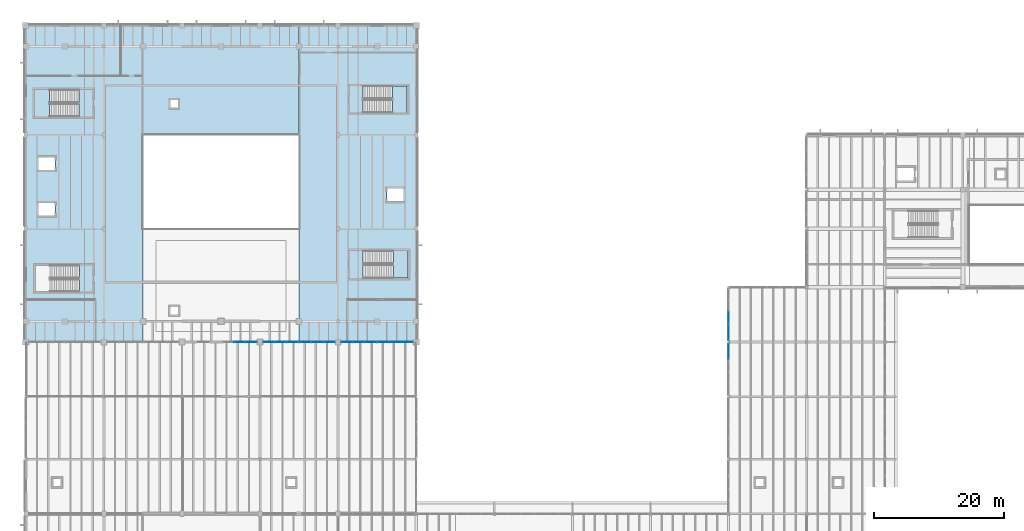
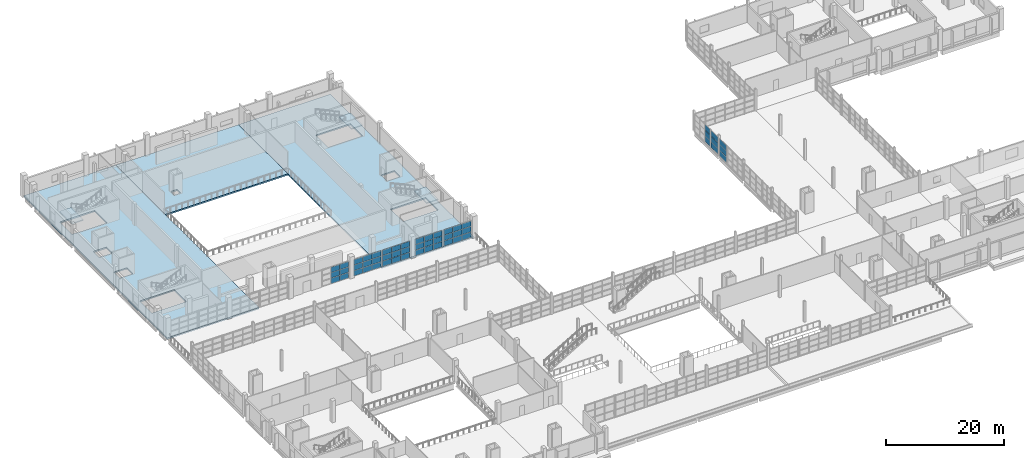
# One storey, part 82 of 114: 51 plates, 6 slabs, 11 elements without a shape of their own.
"""IFC4 building model written with IfcOpenShell, lengths in metres."""

from ifc_helpers import new_model, si_unit, direction, frame, origin, origin_2d, place, context, subcontext, project, spatial, polyline, rectangle, outline, extrude, material, layer, layer_set, type_object, element, aggregate, save


model = new_model("IFC4")

# Units and contexts
model_context = context("Model", 3, precision=1e-05, world=origin(), true_north=direction((0.0, 1.0)))
body_context = subcontext(model_context, "Body", "Model", "MODEL_VIEW")
ifc_project = project(units=[si_unit("LENGTHUNIT", "METRE"), si_unit("AREAUNIT", "SQUARE_METRE"), si_unit("VOLUMEUNIT", "CUBIC_METRE"), si_unit("PLANEANGLEUNIT", "RADIAN"), si_unit("MASSUNIT", "GRAM", prefix="KILO")], contexts=[model_context])

# Site, building, storey
site_placement = place(None, origin())
site = spatial("IfcSite", under=ifc_project, at=site_placement, CompositionType="ELEMENT")
building_placement = place(site_placement, origin())
building = spatial("IfcBuilding", under=site, at=building_placement, Name="Kelmvaro Bay Concert Hall", CompositionType="ELEMENT")
storey_placement = place(building_placement, frame((0.0, 0.0, 4.800048828125)))
storey = spatial("IfcBuildingStorey", under=building, at=storey_placement, Name="L01", CompositionType="ELEMENT", Elevation=4.800048828125)

# Slabs
ifc_material_1 = material(Name="Concrete C40/50", Category="concrete")
ifc_layer_1 = layer(ifc_material_1, 0.300048828125)
ifc_layer_set_1 = layer_set([ifc_layer_1], Name="Concrete C40/50")
slab_type_1 = type_object("IfcSlabType", Name="Auditorium Tier Structural Slab 300", PredefinedType="FLOOR", material=ifc_layer_set_1)
slab_1_placement = place(storey_placement, frame((0.0, 0.0, -0.300048828125)))
element("IfcSlab", 1, at=slab_1_placement, inside=storey, type_object=slab_type_1, Name="L01 Structural Slab V1-W", PredefinedType="FLOOR", context=body_context, shape_type="SweptSolid", body=[
    extrude(outline(polyline([(0.0, 65.39990234375), (18.0, 65.39990234375), (18.0, 114.0), (0.0, 114.0), (0.0, 65.39990234375)]), holes=[polyline([(1.45068359375, 73.090576171875), (8.219482421875, 73.090576171875), (8.219482421875, 77.199462890625), (1.45068359375, 77.199462890625), (1.45068359375, 73.090576171875)]), polyline([(1.3505859375, 100.010498046875), (8.179443359375, 100.010498046875), (8.179443359375, 104.199462890625), (1.3505859375, 104.199462890625), (1.3505859375, 100.010498046875)]), polyline([(1.925048828125, 84.800048828125), (4.47509765625, 84.800048828125), (4.47509765625, 86.800048828125), (1.925048828125, 86.800048828125), (1.925048828125, 84.800048828125)]), polyline([(1.925048828125, 91.800048828125), (4.47509765625, 91.800048828125), (4.47509765625, 93.800048828125), (1.925048828125, 93.800048828125), (1.925048828125, 91.800048828125)])]), origin(), (0.0, 0.0, 1.0), 0.300048828125),
])
slab_2_placement = place(storey_placement, frame((0.0, 0.0, -0.300048828125)))
element("IfcSlab", 2, at=slab_2_placement, inside=storey, type_object=slab_type_1, Name="L01 Structural Slab V1-N", PredefinedType="FLOOR", context=body_context, shape_type="SweptSolid", body=[
    extrude(outline(polyline([(18.0, 97.199951171875), (42.0, 97.199951171875), (42.0, 114.0), (18.0, 114.0), (18.0, 97.199951171875)]), holes=[polyline([(22.199951171875, 101.39990234375), (23.39990234375, 101.39990234375), (23.39990234375, 102.60009765625), (22.199951171875, 102.60009765625), (22.199951171875, 101.39990234375)])]), origin(), (0.0, 0.0, 1.0), 0.300048828125),
])
slab_3_placement = place(storey_placement, frame((0.0, 0.0, -0.300048828125)))
element("IfcSlab", 3, at=slab_3_placement, inside=storey, type_object=slab_type_1, Name="L01 Structural Slab V1-E", PredefinedType="FLOOR", context=body_context, shape_type="SweptSolid", body=[
    extrude(outline(polyline([(42.0, 65.39990234375), (60.0, 65.39990234375), (60.0, 114.0), (42.0, 114.0), (42.0, 65.39990234375)]), holes=[polyline([(51.800537109375, 100.6005859375), (58.599365234375, 100.6005859375), (58.599365234375, 104.74951171875), (51.800537109375, 104.74951171875), (51.800537109375, 100.6005859375)]), polyline([(51.8505859375, 75.20068359375), (58.74951171875, 75.20068359375), (58.74951171875, 79.449462890625), (51.8505859375, 79.449462890625), (51.8505859375, 75.20068359375)]), polyline([(55.52490234375, 87.0), (58.074951171875, 87.0), (58.074951171875, 89.0), (55.52490234375, 89.0), (55.52490234375, 87.0)])]), origin(), (0.0, 0.0, 1.0), 0.300048828125),
])

# Stair, slab
ifc_material_2 = material(Name="Concrete C40/50", Category="concrete")
stair_type_1 = type_object("IfcStairType", Name="Core Dogleg Exit Stair 2000", PredefinedType="USERDEFINED", material=ifc_material_2)
stair_1_placement = place(storey_placement, origin())
stair_1 = element("IfcStair", 4, at=stair_1_placement, inside=storey, type_object=stair_type_1, Name="L01 Exit Stair ST-02", ObjectType="TWO_RETURN_STAIR", PredefinedType="USERDEFINED")
ifc_material_3 = material(Name="Concrete C40/50", Category="concrete")
ifc_layer_2 = layer(ifc_material_3, 0.199951171875)
ifc_layer_set_2 = layer_set([ifc_layer_2], Name="Concrete C40/50")
slab_type_2 = type_object("IfcSlabType", Name="Core Stair Half-Landing Slab 200", PredefinedType="LANDING", material=ifc_layer_set_2)
slab_4_placement = place(storey_placement, frame((0.0, 0.0, 2.050048828125)))
slab_4 = element("IfcSlab", 5, at=slab_4_placement, type_object=slab_type_2, Name="ST-02 landing 1", PredefinedType="LANDING", context=body_context, shape_type="SweptSolid", body=[
    extrude(outline(polyline([(56.35009765625, 100.60009765625), (58.60009765625, 100.60009765625), (58.60009765625, 104.75), (56.35009765625, 104.75), (56.35009765625, 100.60009765625)])), origin(), (0.0, 0.0, 1.0), 0.199951171875),
])
aggregate(stair_1, [slab_4])

ifc_material_4 = material(Name="Concrete C40/50", Category="concrete")
stair_type_2 = type_object("IfcStairType", Name="Core Dogleg Exit Stair 2020", PredefinedType="USERDEFINED", material=ifc_material_4)
stair_2_placement = place(storey_placement, origin())
stair_2 = element("IfcStair", 6, at=stair_2_placement, inside=storey, type_object=stair_type_2, Name="L01 Exit Stair ST-03", ObjectType="TWO_RETURN_STAIR", PredefinedType="USERDEFINED")
slab_5_placement = place(storey_placement, frame((0.0, 0.0, 2.050048828125)))
slab_5 = element("IfcSlab", 7, at=slab_5_placement, type_object=slab_type_2, Name="ST-03 landing 1", PredefinedType="LANDING", context=body_context, shape_type="SweptSolid", body=[
    extrude(outline(polyline([(3.60400390625, 104.199951171875), (1.35009765625, 104.199951171875), (1.35009765625, 100.010009765625), (3.60400390625, 100.010009765625), (3.60400390625, 104.199951171875)])), origin(), (0.0, 0.0, 1.0), 0.199951171875),
])
aggregate(stair_2, [slab_5])

ifc_material_5 = material(Name="Concrete C40/50", Category="concrete")
stair_type_3 = type_object("IfcStairType", Name="Core Dogleg Exit Stair 2050", PredefinedType="USERDEFINED", material=ifc_material_5)
stair_3_placement = place(storey_placement, origin())
stair_3 = element("IfcStair", 8, at=stair_3_placement, inside=storey, type_object=stair_type_3, Name="L01 Exit Stair ST-04", ObjectType="TWO_RETURN_STAIR", PredefinedType="USERDEFINED")
slab_6_placement = place(storey_placement, frame((0.0, 0.0, 2.050048828125)))
slab_6 = element("IfcSlab", 9, at=slab_6_placement, type_object=slab_type_2, Name="ST-04 landing 1", PredefinedType="LANDING", context=body_context, shape_type="SweptSolid", body=[
    extrude(outline(polyline([(56.465087890625, 75.199951171875), (58.75, 75.199951171875), (58.75, 79.449951171875), (56.465087890625, 79.449951171875), (56.465087890625, 75.199951171875)])), origin(), (0.0, 0.0, 1.0), 0.199951171875),
])
aggregate(stair_3, [slab_6])

# Curtain wall, plates
ifc_material_6 = material(Name="Anodised Aluminium and Low-E Insulated Glazing", Category="aluminium")
curtain_wall_type_1 = type_object("IfcCurtainWallType", Name="Mezzanine Concourse Curtain Wall 4100", PredefinedType="USERDEFINED", material=ifc_material_6)
curtain_wall_1_placement = place(storey_placement, origin())
curtain_wall_1 = element("IfcCurtainWall", 10, at=curtain_wall_1_placement, inside=storey, type_object=curtain_wall_type_1, Name="Unitised Curtain Wall CW-L01-119", ObjectType="UNITISED GLAZING", PredefinedType="USERDEFINED")
ifc_material_7 = material(Name="Laminated Low-E Insulated Glass", Category="glass")
ifc_layer_3 = layer(ifc_material_7, 1.85009765625)
ifc_layer_set_3 = layer_set([ifc_layer_3], Name="Laminated Low-E Insulated Glass")
plate_type_1 = type_object("IfcPlateType", Name="Courtyard Clear Low-E Glazing Panel 22", PredefinedType="CURTAIN_PANEL", material=ifc_layer_set_3)
plate_1_placement = place(storey_placement, frame((108.0, 63.947265625, 0.03271484375), z_axis=(0.0, 0.0, 1.0), x_axis=(0.0, 1.0, 0.0)))
plate_1 = element("IfcPlate", 11, at=plate_1_placement, type_object=plate_type_1, Name="CW-L01-119 Insulated Glazing Panel 01-1", PredefinedType="CURTAIN_PANEL", context=body_context, shape_type="SweptSolid", body=[
    extrude(rectangle(XDim=2.349609375, YDim=0.02197265625, at=origin_2d()), origin(), (0.0, 0.0, 1.0), 1.144287109375),
])
plate_2_placement = place(storey_placement, frame((108.0, 63.947265625, 1.24169921875), z_axis=(0.0, 0.0, 1.0), x_axis=(0.0, 1.0, 0.0)))
plate_2 = element("IfcPlate", 12, at=plate_2_placement, type_object=plate_type_1, Name="CW-L01-119 Insulated Glazing Panel 01-2", PredefinedType="CURTAIN_PANEL", context=body_context, shape_type="SweptSolid", body=[
    extrude(rectangle(XDim=2.349609375, YDim=0.02197265625, at=origin_2d()), origin(), (0.0, 0.0, 1.0), 1.144287109375),
])
plate_3_placement = place(storey_placement, frame((108.0, 63.947265625, 2.451171875), z_axis=(0.0, 0.0, 1.0), x_axis=(0.0, 1.0, 0.0)))
plate_3 = element("IfcPlate", 13, at=plate_3_placement, type_object=plate_type_1, Name="CW-L01-119 Insulated Glazing Panel 01-3", PredefinedType="CURTAIN_PANEL", context=body_context, shape_type="SweptSolid", body=[
    extrude(rectangle(XDim=2.349609375, YDim=0.02197265625, at=origin_2d()), origin(), (0.0, 0.0, 1.0), 1.144287109375),
])
aggregate(curtain_wall_1, [plate_1, plate_2, plate_3])

curtain_wall_2_placement = place(storey_placement, origin())
curtain_wall_2 = element("IfcCurtainWall", 14, at=curtain_wall_2_placement, inside=storey, type_object=curtain_wall_type_1, Name="Unitised Curtain Wall CW-L01-120", ObjectType="UNITISED GLAZING", PredefinedType="USERDEFINED")
plate_4_placement = place(storey_placement, frame((108.0, 66.852783203125, 0.03271484375), z_axis=(0.0, 0.0, 1.0), x_axis=(0.0, 1.0, 0.0)))
plate_4 = element("IfcPlate", 15, at=plate_4_placement, type_object=plate_type_1, Name="CW-L01-120 Insulated Glazing Panel 01-1", PredefinedType="CURTAIN_PANEL", context=body_context, shape_type="SweptSolid", body=[
    extrude(rectangle(XDim=2.349609375, YDim=0.02197265625, at=origin_2d()), origin(), (0.0, 0.0, 1.0), 1.144287109375),
])
plate_5_placement = place(storey_placement, frame((108.0, 66.852783203125, 1.24169921875), z_axis=(0.0, 0.0, 1.0), x_axis=(0.0, 1.0, 0.0)))
plate_5 = element("IfcPlate", 16, at=plate_5_placement, type_object=plate_type_1, Name="CW-L01-120 Insulated Glazing Panel 01-2", PredefinedType="CURTAIN_PANEL", context=body_context, shape_type="SweptSolid", body=[
    extrude(rectangle(XDim=2.349609375, YDim=0.02197265625, at=origin_2d()), origin(), (0.0, 0.0, 1.0), 1.144287109375),
])
plate_6_placement = place(storey_placement, frame((108.0, 66.852783203125, 2.451171875), z_axis=(0.0, 0.0, 1.0), x_axis=(0.0, 1.0, 0.0)))
plate_6 = element("IfcPlate", 17, at=plate_6_placement, type_object=plate_type_1, Name="CW-L01-120 Insulated Glazing Panel 01-3", PredefinedType="CURTAIN_PANEL", context=body_context, shape_type="SweptSolid", body=[
    extrude(rectangle(XDim=2.349609375, YDim=0.02197265625, at=origin_2d()), origin(), (0.0, 0.0, 1.0), 1.144287109375),
])
aggregate(curtain_wall_2, [plate_4, plate_5, plate_6])

curtain_wall_3_placement = place(storey_placement, origin())
curtain_wall_3 = element("IfcCurtainWall", 18, at=curtain_wall_3_placement, inside=storey, type_object=curtain_wall_type_1, Name="Unitised Curtain Wall CW-L01-123", ObjectType="UNITISED GLAZING", PredefinedType="USERDEFINED")
plate_7_placement = place(storey_placement, frame((108.0, 69.208984375, 0.03271484375), z_axis=(0.0, 0.0, 1.0), x_axis=(0.0, 1.0, 0.0)))
plate_7 = element("IfcPlate", 19, at=plate_7_placement, type_object=plate_type_1, Name="CW-L01-123 Insulated Glazing Panel 01-1", PredefinedType="CURTAIN_PANEL", context=body_context, shape_type="SweptSolid", body=[
    extrude(rectangle(XDim=1.673095703125, YDim=0.02197265625, at=origin_2d()), origin(), (0.0, 0.0, 1.0), 1.144287109375),
])
plate_8_placement = place(storey_placement, frame((108.0, 69.208984375, 1.24169921875), z_axis=(0.0, 0.0, 1.0), x_axis=(0.0, 1.0, 0.0)))
plate_8 = element("IfcPlate", 20, at=plate_8_placement, type_object=plate_type_1, Name="CW-L01-123 Insulated Glazing Panel 01-2", PredefinedType="CURTAIN_PANEL", context=body_context, shape_type="SweptSolid", body=[
    extrude(rectangle(XDim=1.673095703125, YDim=0.02197265625, at=origin_2d()), origin(), (0.0, 0.0, 1.0), 1.144287109375),
])
plate_9_placement = place(storey_placement, frame((108.0, 69.208984375, 2.451171875), z_axis=(0.0, 0.0, 1.0), x_axis=(0.0, 1.0, 0.0)))
plate_9 = element("IfcPlate", 21, at=plate_9_placement, type_object=plate_type_1, Name="CW-L01-123 Insulated Glazing Panel 01-3", PredefinedType="CURTAIN_PANEL", context=body_context, shape_type="SweptSolid", body=[
    extrude(rectangle(XDim=1.673095703125, YDim=0.02197265625, at=origin_2d()), origin(), (0.0, 0.0, 1.0), 1.144287109375),
])
aggregate(curtain_wall_3, [plate_7, plate_8, plate_9])

ifc_material_8 = material(Name="Anodised Aluminium and Low-E Insulated Glazing", Category="aluminium")
curtain_wall_type_2 = type_object("IfcCurtainWallType", Name="Symphony South Gallery Curtain Wall 3920", PredefinedType="USERDEFINED", material=ifc_material_8)
curtain_wall_4_placement = place(storey_placement, origin())
curtain_wall_4 = element("IfcCurtainWall", 22, at=curtain_wall_4_placement, inside=storey, type_object=curtain_wall_type_2, Name="Unitised Curtain Wall CW-L01-005", ObjectType="UNITISED GLAZING", PredefinedType="USERDEFINED")
ifc_material_9 = material(Name="Laminated Low-E Insulated Glass", Category="glass")
ifc_layer_4 = layer(ifc_material_9, 1.85009765625)
ifc_layer_set_4 = layer_set([ifc_layer_4], Name="Laminated Low-E Insulated Glass")
plate_type_2 = type_object("IfcPlateType", Name="Symphony Foyer Triple Acoustic Glass 60", PredefinedType="CURTAIN_PANEL", material=ifc_layer_set_4)
plate_10_placement = place(storey_placement, frame((34.629150390625, 65.39990234375, 0.0322265625), z_axis=(0.0, 0.0, 1.0), x_axis=(-1.0, 0.0, 0.0)))
plate_10 = element("IfcPlate", 23, at=plate_10_placement, type_object=plate_type_2, Name="CW-L01-005 Insulated Glazing Panel 01-1", PredefinedType="CURTAIN_PANEL", context=body_context, shape_type="SweptSolid", body=[
    extrude(rectangle(XDim=1.666748046875, YDim=0.06005859375, at=origin_2d()), origin(), (0.0, 0.0, 1.0), 1.097412109375),
])
plate_11_placement = place(storey_placement, frame((34.629150390625, 65.39990234375, 1.19482421875), z_axis=(0.0, 0.0, 1.0), x_axis=(-1.0, 0.0, 0.0)))
plate_11 = element("IfcPlate", 24, at=plate_11_placement, type_object=plate_type_2, Name="CW-L01-005 Insulated Glazing Panel 01-2", PredefinedType="CURTAIN_PANEL", context=body_context, shape_type="SweptSolid", body=[
    extrude(rectangle(XDim=1.666748046875, YDim=0.06005859375, at=origin_2d()), origin(), (0.0, 0.0, 1.0), 1.097412109375),
])
plate_12_placement = place(storey_placement, frame((34.629150390625, 65.39990234375, 2.35693359375), z_axis=(0.0, 0.0, 1.0), x_axis=(-1.0, 0.0, 0.0)))
plate_12 = element("IfcPlate", 25, at=plate_12_placement, type_object=plate_type_2, Name="CW-L01-005 Insulated Glazing Panel 01-3", PredefinedType="CURTAIN_PANEL", context=body_context, shape_type="SweptSolid", body=[
    extrude(rectangle(XDim=1.666748046875, YDim=0.06005859375, at=origin_2d()), origin(), (0.0, 0.0, 1.0), 1.097412109375),
])
plate_13_placement = place(storey_placement, frame((32.8974609375, 65.39990234375, 0.0322265625), z_axis=(0.0, 0.0, 1.0), x_axis=(-1.0, 0.0, 0.0)))
plate_13 = element("IfcPlate", 26, at=plate_13_placement, type_object=plate_type_2, Name="CW-L01-005 Insulated Glazing Panel 02-1", PredefinedType="CURTAIN_PANEL", context=body_context, shape_type="SweptSolid", body=[
    extrude(rectangle(XDim=1.666748046875, YDim=0.06005859375, at=origin_2d()), origin(), (0.0, 0.0, 1.0), 1.097412109375),
])
plate_14_placement = place(storey_placement, frame((32.8974609375, 65.39990234375, 1.19482421875), z_axis=(0.0, 0.0, 1.0), x_axis=(-1.0, 0.0, 0.0)))
plate_14 = element("IfcPlate", 27, at=plate_14_placement, type_object=plate_type_2, Name="CW-L01-005 Insulated Glazing Panel 02-2", PredefinedType="CURTAIN_PANEL", context=body_context, shape_type="SweptSolid", body=[
    extrude(rectangle(XDim=1.666748046875, YDim=0.06005859375, at=origin_2d()), origin(), (0.0, 0.0, 1.0), 1.097412109375),
])
plate_15_placement = place(storey_placement, frame((32.8974609375, 65.39990234375, 2.35693359375), z_axis=(0.0, 0.0, 1.0), x_axis=(-1.0, 0.0, 0.0)))
plate_15 = element("IfcPlate", 28, at=plate_15_placement, type_object=plate_type_2, Name="CW-L01-005 Insulated Glazing Panel 02-3", PredefinedType="CURTAIN_PANEL", context=body_context, shape_type="SweptSolid", body=[
    extrude(rectangle(XDim=1.666748046875, YDim=0.06005859375, at=origin_2d()), origin(), (0.0, 0.0, 1.0), 1.097412109375),
])
aggregate(curtain_wall_4, [plate_10, plate_11, plate_12, plate_13, plate_14, plate_15])

curtain_wall_5_placement = place(storey_placement, origin())
curtain_wall_5 = element("IfcCurtainWall", 29, at=curtain_wall_5_placement, inside=storey, type_object=curtain_wall_type_2, Name="Unitised Curtain Wall CW-L01-006", ObjectType="UNITISED GLAZING", PredefinedType="USERDEFINED")
plate_16_placement = place(storey_placement, frame((40.967529296875, 65.39990234375, 0.0322265625), z_axis=(0.0, 0.0, 1.0), x_axis=(-1.0, 0.0, 0.0)))
plate_16 = element("IfcPlate", 30, at=plate_16_placement, type_object=plate_type_2, Name="CW-L01-006 Insulated Glazing Panel 01-1", PredefinedType="CURTAIN_PANEL", context=body_context, shape_type="SweptSolid", body=[
    extrude(rectangle(XDim=1.719970703125, YDim=0.06005859375, at=origin_2d()), origin(), (0.0, 0.0, 1.0), 1.097412109375),
])
plate_17_placement = place(storey_placement, frame((40.967529296875, 65.39990234375, 1.19482421875), z_axis=(0.0, 0.0, 1.0), x_axis=(-1.0, 0.0, 0.0)))
plate_17 = element("IfcPlate", 31, at=plate_17_placement, type_object=plate_type_2, Name="CW-L01-006 Insulated Glazing Panel 01-2", PredefinedType="CURTAIN_PANEL", context=body_context, shape_type="SweptSolid", body=[
    extrude(rectangle(XDim=1.719970703125, YDim=0.06005859375, at=origin_2d()), origin(), (0.0, 0.0, 1.0), 1.097412109375),
])
plate_18_placement = place(storey_placement, frame((40.967529296875, 65.39990234375, 2.35693359375), z_axis=(0.0, 0.0, 1.0), x_axis=(-1.0, 0.0, 0.0)))
plate_18 = element("IfcPlate", 32, at=plate_18_placement, type_object=plate_type_2, Name="CW-L01-006 Insulated Glazing Panel 01-3", PredefinedType="CURTAIN_PANEL", context=body_context, shape_type="SweptSolid", body=[
    extrude(rectangle(XDim=1.719970703125, YDim=0.06005859375, at=origin_2d()), origin(), (0.0, 0.0, 1.0), 1.097412109375),
])
plate_19_placement = place(storey_placement, frame((39.1826171875, 65.39990234375, 0.0322265625), z_axis=(0.0, 0.0, 1.0), x_axis=(-1.0, 0.0, 0.0)))
plate_19 = element("IfcPlate", 33, at=plate_19_placement, type_object=plate_type_2, Name="CW-L01-006 Insulated Glazing Panel 02-1", PredefinedType="CURTAIN_PANEL", context=body_context, shape_type="SweptSolid", body=[
    extrude(rectangle(XDim=1.719970703125, YDim=0.06005859375, at=origin_2d()), origin(), (0.0, 0.0, 1.0), 1.097412109375),
])
plate_20_placement = place(storey_placement, frame((39.1826171875, 65.39990234375, 1.19482421875), z_axis=(0.0, 0.0, 1.0), x_axis=(-1.0, 0.0, 0.0)))
plate_20 = element("IfcPlate", 34, at=plate_20_placement, type_object=plate_type_2, Name="CW-L01-006 Insulated Glazing Panel 02-2", PredefinedType="CURTAIN_PANEL", context=body_context, shape_type="SweptSolid", body=[
    extrude(rectangle(XDim=1.719970703125, YDim=0.06005859375, at=origin_2d()), origin(), (0.0, 0.0, 1.0), 1.097412109375),
])
plate_21_placement = place(storey_placement, frame((39.1826171875, 65.39990234375, 2.35693359375), z_axis=(0.0, 0.0, 1.0), x_axis=(-1.0, 0.0, 0.0)))
plate_21 = element("IfcPlate", 35, at=plate_21_placement, type_object=plate_type_2, Name="CW-L01-006 Insulated Glazing Panel 02-3", PredefinedType="CURTAIN_PANEL", context=body_context, shape_type="SweptSolid", body=[
    extrude(rectangle(XDim=1.719970703125, YDim=0.06005859375, at=origin_2d()), origin(), (0.0, 0.0, 1.0), 1.097412109375),
])
plate_22_placement = place(storey_placement, frame((37.3974609375, 65.39990234375, 0.0322265625), z_axis=(0.0, 0.0, 1.0), x_axis=(-1.0, 0.0, 0.0)))
plate_22 = element("IfcPlate", 36, at=plate_22_placement, type_object=plate_type_2, Name="CW-L01-006 Insulated Glazing Panel 03-1", PredefinedType="CURTAIN_PANEL", context=body_context, shape_type="SweptSolid", body=[
    extrude(rectangle(XDim=1.719970703125, YDim=0.06005859375, at=origin_2d()), origin(), (0.0, 0.0, 1.0), 1.097412109375),
])
plate_23_placement = place(storey_placement, frame((37.3974609375, 65.39990234375, 1.19482421875), z_axis=(0.0, 0.0, 1.0), x_axis=(-1.0, 0.0, 0.0)))
plate_23 = element("IfcPlate", 37, at=plate_23_placement, type_object=plate_type_2, Name="CW-L01-006 Insulated Glazing Panel 03-2", PredefinedType="CURTAIN_PANEL", context=body_context, shape_type="SweptSolid", body=[
    extrude(rectangle(XDim=1.719970703125, YDim=0.06005859375, at=origin_2d()), origin(), (0.0, 0.0, 1.0), 1.097412109375),
])
plate_24_placement = place(storey_placement, frame((37.3974609375, 65.39990234375, 2.35693359375), z_axis=(0.0, 0.0, 1.0), x_axis=(-1.0, 0.0, 0.0)))
plate_24 = element("IfcPlate", 38, at=plate_24_placement, type_object=plate_type_2, Name="CW-L01-006 Insulated Glazing Panel 03-3", PredefinedType="CURTAIN_PANEL", context=body_context, shape_type="SweptSolid", body=[
    extrude(rectangle(XDim=1.719970703125, YDim=0.06005859375, at=origin_2d()), origin(), (0.0, 0.0, 1.0), 1.097412109375),
])
aggregate(curtain_wall_5, [plate_16, plate_17, plate_18, plate_19, plate_20, plate_21, plate_22, plate_23, plate_24])

curtain_wall_6_placement = place(storey_placement, origin())
curtain_wall_6 = element("IfcCurtainWall", 39, at=curtain_wall_6_placement, inside=storey, type_object=curtain_wall_type_2, Name="Unitised Curtain Wall CW-L01-007", ObjectType="UNITISED GLAZING", PredefinedType="USERDEFINED")
plate_25_placement = place(storey_placement, frame((46.6025390625, 65.39990234375, 0.0322265625), z_axis=(0.0, 0.0, 1.0), x_axis=(-1.0, 0.0, 0.0)))
plate_25 = element("IfcPlate", 40, at=plate_25_placement, type_object=plate_type_2, Name="CW-L01-007 Insulated Glazing Panel 01-1", PredefinedType="CURTAIN_PANEL", context=body_context, shape_type="SweptSolid", body=[
    extrude(rectangle(XDim=1.719970703125, YDim=0.06005859375, at=origin_2d()), origin(), (0.0, 0.0, 1.0), 1.097412109375),
])
plate_26_placement = place(storey_placement, frame((46.6025390625, 65.39990234375, 1.19482421875), z_axis=(0.0, 0.0, 1.0), x_axis=(-1.0, 0.0, 0.0)))
plate_26 = element("IfcPlate", 41, at=plate_26_placement, type_object=plate_type_2, Name="CW-L01-007 Insulated Glazing Panel 01-2", PredefinedType="CURTAIN_PANEL", context=body_context, shape_type="SweptSolid", body=[
    extrude(rectangle(XDim=1.719970703125, YDim=0.06005859375, at=origin_2d()), origin(), (0.0, 0.0, 1.0), 1.097412109375),
])
plate_27_placement = place(storey_placement, frame((46.6025390625, 65.39990234375, 2.35693359375), z_axis=(0.0, 0.0, 1.0), x_axis=(-1.0, 0.0, 0.0)))
plate_27 = element("IfcPlate", 42, at=plate_27_placement, type_object=plate_type_2, Name="CW-L01-007 Insulated Glazing Panel 01-3", PredefinedType="CURTAIN_PANEL", context=body_context, shape_type="SweptSolid", body=[
    extrude(rectangle(XDim=1.719970703125, YDim=0.06005859375, at=origin_2d()), origin(), (0.0, 0.0, 1.0), 1.097412109375),
])
plate_28_placement = place(storey_placement, frame((44.8173828125, 65.39990234375, 0.0322265625), z_axis=(0.0, 0.0, 1.0), x_axis=(-1.0, 0.0, 0.0)))
plate_28 = element("IfcPlate", 43, at=plate_28_placement, type_object=plate_type_2, Name="CW-L01-007 Insulated Glazing Panel 02-1", PredefinedType="CURTAIN_PANEL", context=body_context, shape_type="SweptSolid", body=[
    extrude(rectangle(XDim=1.719970703125, YDim=0.06005859375, at=origin_2d()), origin(), (0.0, 0.0, 1.0), 1.097412109375),
])
plate_29_placement = place(storey_placement, frame((44.8173828125, 65.39990234375, 1.19482421875), z_axis=(0.0, 0.0, 1.0), x_axis=(-1.0, 0.0, 0.0)))
plate_29 = element("IfcPlate", 44, at=plate_29_placement, type_object=plate_type_2, Name="CW-L01-007 Insulated Glazing Panel 02-2", PredefinedType="CURTAIN_PANEL", context=body_context, shape_type="SweptSolid", body=[
    extrude(rectangle(XDim=1.719970703125, YDim=0.06005859375, at=origin_2d()), origin(), (0.0, 0.0, 1.0), 1.097412109375),
])
plate_30_placement = place(storey_placement, frame((44.8173828125, 65.39990234375, 2.35693359375), z_axis=(0.0, 0.0, 1.0), x_axis=(-1.0, 0.0, 0.0)))
plate_30 = element("IfcPlate", 45, at=plate_30_placement, type_object=plate_type_2, Name="CW-L01-007 Insulated Glazing Panel 02-3", PredefinedType="CURTAIN_PANEL", context=body_context, shape_type="SweptSolid", body=[
    extrude(rectangle(XDim=1.719970703125, YDim=0.06005859375, at=origin_2d()), origin(), (0.0, 0.0, 1.0), 1.097412109375),
])
plate_31_placement = place(storey_placement, frame((43.032470703125, 65.39990234375, 0.0322265625), z_axis=(0.0, 0.0, 1.0), x_axis=(-1.0, 0.0, 0.0)))
plate_31 = element("IfcPlate", 46, at=plate_31_placement, type_object=plate_type_2, Name="CW-L01-007 Insulated Glazing Panel 03-1", PredefinedType="CURTAIN_PANEL", context=body_context, shape_type="SweptSolid", body=[
    extrude(rectangle(XDim=1.719970703125, YDim=0.06005859375, at=origin_2d()), origin(), (0.0, 0.0, 1.0), 1.097412109375),
])
plate_32_placement = place(storey_placement, frame((43.032470703125, 65.39990234375, 1.19482421875), z_axis=(0.0, 0.0, 1.0), x_axis=(-1.0, 0.0, 0.0)))
plate_32 = element("IfcPlate", 47, at=plate_32_placement, type_object=plate_type_2, Name="CW-L01-007 Insulated Glazing Panel 03-2", PredefinedType="CURTAIN_PANEL", context=body_context, shape_type="SweptSolid", body=[
    extrude(rectangle(XDim=1.719970703125, YDim=0.06005859375, at=origin_2d()), origin(), (0.0, 0.0, 1.0), 1.097412109375),
])
plate_33_placement = place(storey_placement, frame((43.032470703125, 65.39990234375, 2.35693359375), z_axis=(0.0, 0.0, 1.0), x_axis=(-1.0, 0.0, 0.0)))
plate_33 = element("IfcPlate", 48, at=plate_33_placement, type_object=plate_type_2, Name="CW-L01-007 Insulated Glazing Panel 03-3", PredefinedType="CURTAIN_PANEL", context=body_context, shape_type="SweptSolid", body=[
    extrude(rectangle(XDim=1.719970703125, YDim=0.06005859375, at=origin_2d()), origin(), (0.0, 0.0, 1.0), 1.097412109375),
])
aggregate(curtain_wall_6, [plate_25, plate_26, plate_27, plate_28, plate_29, plate_30, plate_31, plate_32, plate_33])

curtain_wall_7_placement = place(storey_placement, origin())
curtain_wall_7 = element("IfcCurtainWall", 49, at=curtain_wall_7_placement, inside=storey, type_object=curtain_wall_type_2, Name="Unitised Curtain Wall CW-L01-008", ObjectType="UNITISED GLAZING", PredefinedType="USERDEFINED")
plate_34_placement = place(storey_placement, frame((52.967529296875, 65.39990234375, 0.0322265625), z_axis=(0.0, 0.0, 1.0), x_axis=(-1.0, 0.0, 0.0)))
plate_34 = element("IfcPlate", 50, at=plate_34_placement, type_object=plate_type_2, Name="CW-L01-008 Insulated Glazing Panel 01-1", PredefinedType="CURTAIN_PANEL", context=body_context, shape_type="SweptSolid", body=[
    extrude(rectangle(XDim=1.719970703125, YDim=0.06005859375, at=origin_2d()), origin(), (0.0, 0.0, 1.0), 1.097412109375),
])
plate_35_placement = place(storey_placement, frame((52.967529296875, 65.39990234375, 1.19482421875), z_axis=(0.0, 0.0, 1.0), x_axis=(-1.0, 0.0, 0.0)))
plate_35 = element("IfcPlate", 51, at=plate_35_placement, type_object=plate_type_2, Name="CW-L01-008 Insulated Glazing Panel 01-2", PredefinedType="CURTAIN_PANEL", context=body_context, shape_type="SweptSolid", body=[
    extrude(rectangle(XDim=1.719970703125, YDim=0.06005859375, at=origin_2d()), origin(), (0.0, 0.0, 1.0), 1.097412109375),
])
plate_36_placement = place(storey_placement, frame((52.967529296875, 65.39990234375, 2.35693359375), z_axis=(0.0, 0.0, 1.0), x_axis=(-1.0, 0.0, 0.0)))
plate_36 = element("IfcPlate", 52, at=plate_36_placement, type_object=plate_type_2, Name="CW-L01-008 Insulated Glazing Panel 01-3", PredefinedType="CURTAIN_PANEL", context=body_context, shape_type="SweptSolid", body=[
    extrude(rectangle(XDim=1.719970703125, YDim=0.06005859375, at=origin_2d()), origin(), (0.0, 0.0, 1.0), 1.097412109375),
])
plate_37_placement = place(storey_placement, frame((51.1826171875, 65.39990234375, 0.0322265625), z_axis=(0.0, 0.0, 1.0), x_axis=(-1.0, 0.0, 0.0)))
plate_37 = element("IfcPlate", 53, at=plate_37_placement, type_object=plate_type_2, Name="CW-L01-008 Insulated Glazing Panel 02-1", PredefinedType="CURTAIN_PANEL", context=body_context, shape_type="SweptSolid", body=[
    extrude(rectangle(XDim=1.719970703125, YDim=0.06005859375, at=origin_2d()), origin(), (0.0, 0.0, 1.0), 1.097412109375),
])
plate_38_placement = place(storey_placement, frame((51.1826171875, 65.39990234375, 1.19482421875), z_axis=(0.0, 0.0, 1.0), x_axis=(-1.0, 0.0, 0.0)))
plate_38 = element("IfcPlate", 54, at=plate_38_placement, type_object=plate_type_2, Name="CW-L01-008 Insulated Glazing Panel 02-2", PredefinedType="CURTAIN_PANEL", context=body_context, shape_type="SweptSolid", body=[
    extrude(rectangle(XDim=1.719970703125, YDim=0.06005859375, at=origin_2d()), origin(), (0.0, 0.0, 1.0), 1.097412109375),
])
plate_39_placement = place(storey_placement, frame((51.1826171875, 65.39990234375, 2.35693359375), z_axis=(0.0, 0.0, 1.0), x_axis=(-1.0, 0.0, 0.0)))
plate_39 = element("IfcPlate", 55, at=plate_39_placement, type_object=plate_type_2, Name="CW-L01-008 Insulated Glazing Panel 02-3", PredefinedType="CURTAIN_PANEL", context=body_context, shape_type="SweptSolid", body=[
    extrude(rectangle(XDim=1.719970703125, YDim=0.06005859375, at=origin_2d()), origin(), (0.0, 0.0, 1.0), 1.097412109375),
])
plate_40_placement = place(storey_placement, frame((49.3974609375, 65.39990234375, 0.0322265625), z_axis=(0.0, 0.0, 1.0), x_axis=(-1.0, 0.0, 0.0)))
plate_40 = element("IfcPlate", 56, at=plate_40_placement, type_object=plate_type_2, Name="CW-L01-008 Insulated Glazing Panel 03-1", PredefinedType="CURTAIN_PANEL", context=body_context, shape_type="SweptSolid", body=[
    extrude(rectangle(XDim=1.719970703125, YDim=0.06005859375, at=origin_2d()), origin(), (0.0, 0.0, 1.0), 1.097412109375),
])
plate_41_placement = place(storey_placement, frame((49.3974609375, 65.39990234375, 1.19482421875), z_axis=(0.0, 0.0, 1.0), x_axis=(-1.0, 0.0, 0.0)))
plate_41 = element("IfcPlate", 57, at=plate_41_placement, type_object=plate_type_2, Name="CW-L01-008 Insulated Glazing Panel 03-2", PredefinedType="CURTAIN_PANEL", context=body_context, shape_type="SweptSolid", body=[
    extrude(rectangle(XDim=1.719970703125, YDim=0.06005859375, at=origin_2d()), origin(), (0.0, 0.0, 1.0), 1.097412109375),
])
plate_42_placement = place(storey_placement, frame((49.3974609375, 65.39990234375, 2.35693359375), z_axis=(0.0, 0.0, 1.0), x_axis=(-1.0, 0.0, 0.0)))
plate_42 = element("IfcPlate", 58, at=plate_42_placement, type_object=plate_type_2, Name="CW-L01-008 Insulated Glazing Panel 03-3", PredefinedType="CURTAIN_PANEL", context=body_context, shape_type="SweptSolid", body=[
    extrude(rectangle(XDim=1.719970703125, YDim=0.06005859375, at=origin_2d()), origin(), (0.0, 0.0, 1.0), 1.097412109375),
])
aggregate(curtain_wall_7, [plate_34, plate_35, plate_36, plate_37, plate_38, plate_39, plate_40, plate_41, plate_42])

curtain_wall_8_placement = place(storey_placement, origin())
curtain_wall_8 = element("IfcCurtainWall", 59, at=curtain_wall_8_placement, inside=storey, type_object=curtain_wall_type_2, Name="Unitised Curtain Wall CW-L01-009", ObjectType="UNITISED GLAZING", PredefinedType="USERDEFINED")
plate_43_placement = place(storey_placement, frame((58.581787109375, 65.39990234375, 0.0322265625), z_axis=(0.0, 0.0, 1.0), x_axis=(-1.0, 0.0, 0.0)))
plate_43 = element("IfcPlate", 60, at=plate_43_placement, type_object=plate_type_2, Name="CW-L01-009 Insulated Glazing Panel 01-1", PredefinedType="CURTAIN_PANEL", context=body_context, shape_type="SweptSolid", body=[
    extrude(rectangle(XDim=1.711669921875, YDim=0.06005859375, at=origin_2d()), origin(), (0.0, 0.0, 1.0), 1.097412109375),
])
plate_44_placement = place(storey_placement, frame((58.581787109375, 65.39990234375, 1.19482421875), z_axis=(0.0, 0.0, 1.0), x_axis=(-1.0, 0.0, 0.0)))
plate_44 = element("IfcPlate", 61, at=plate_44_placement, type_object=plate_type_2, Name="CW-L01-009 Insulated Glazing Panel 01-2", PredefinedType="CURTAIN_PANEL", context=body_context, shape_type="SweptSolid", body=[
    extrude(rectangle(XDim=1.711669921875, YDim=0.06005859375, at=origin_2d()), origin(), (0.0, 0.0, 1.0), 1.097412109375),
])
plate_45_placement = place(storey_placement, frame((58.581787109375, 65.39990234375, 2.35693359375), z_axis=(0.0, 0.0, 1.0), x_axis=(-1.0, 0.0, 0.0)))
plate_45 = element("IfcPlate", 62, at=plate_45_placement, type_object=plate_type_2, Name="CW-L01-009 Insulated Glazing Panel 01-3", PredefinedType="CURTAIN_PANEL", context=body_context, shape_type="SweptSolid", body=[
    extrude(rectangle(XDim=1.711669921875, YDim=0.06005859375, at=origin_2d()), origin(), (0.0, 0.0, 1.0), 1.097412109375),
])
plate_46_placement = place(storey_placement, frame((56.804931640625, 65.39990234375, 0.0322265625), z_axis=(0.0, 0.0, 1.0), x_axis=(-1.0, 0.0, 0.0)))
plate_46 = element("IfcPlate", 63, at=plate_46_placement, type_object=plate_type_2, Name="CW-L01-009 Insulated Glazing Panel 02-1", PredefinedType="CURTAIN_PANEL", context=body_context, shape_type="SweptSolid", body=[
    extrude(rectangle(XDim=1.711669921875, YDim=0.06005859375, at=origin_2d()), origin(), (0.0, 0.0, 1.0), 1.097412109375),
])
plate_47_placement = place(storey_placement, frame((56.804931640625, 65.39990234375, 1.19482421875), z_axis=(0.0, 0.0, 1.0), x_axis=(-1.0, 0.0, 0.0)))
plate_47 = element("IfcPlate", 64, at=plate_47_placement, type_object=plate_type_2, Name="CW-L01-009 Insulated Glazing Panel 02-2", PredefinedType="CURTAIN_PANEL", context=body_context, shape_type="SweptSolid", body=[
    extrude(rectangle(XDim=1.711669921875, YDim=0.06005859375, at=origin_2d()), origin(), (0.0, 0.0, 1.0), 1.097412109375),
])
plate_48_placement = place(storey_placement, frame((56.804931640625, 65.39990234375, 2.35693359375), z_axis=(0.0, 0.0, 1.0), x_axis=(-1.0, 0.0, 0.0)))
plate_48 = element("IfcPlate", 65, at=plate_48_placement, type_object=plate_type_2, Name="CW-L01-009 Insulated Glazing Panel 02-3", PredefinedType="CURTAIN_PANEL", context=body_context, shape_type="SweptSolid", body=[
    extrude(rectangle(XDim=1.711669921875, YDim=0.06005859375, at=origin_2d()), origin(), (0.0, 0.0, 1.0), 1.097412109375),
])
plate_49_placement = place(storey_placement, frame((55.0283203125, 65.39990234375, 0.0322265625), z_axis=(0.0, 0.0, 1.0), x_axis=(-1.0, 0.0, 0.0)))
plate_49 = element("IfcPlate", 66, at=plate_49_placement, type_object=plate_type_2, Name="CW-L01-009 Insulated Glazing Panel 03-1", PredefinedType="CURTAIN_PANEL", context=body_context, shape_type="SweptSolid", body=[
    extrude(rectangle(XDim=1.711669921875, YDim=0.06005859375, at=origin_2d()), origin(), (0.0, 0.0, 1.0), 1.097412109375),
])
plate_50_placement = place(storey_placement, frame((55.0283203125, 65.39990234375, 1.19482421875), z_axis=(0.0, 0.0, 1.0), x_axis=(-1.0, 0.0, 0.0)))
plate_50 = element("IfcPlate", 67, at=plate_50_placement, type_object=plate_type_2, Name="CW-L01-009 Insulated Glazing Panel 03-2", PredefinedType="CURTAIN_PANEL", context=body_context, shape_type="SweptSolid", body=[
    extrude(rectangle(XDim=1.711669921875, YDim=0.06005859375, at=origin_2d()), origin(), (0.0, 0.0, 1.0), 1.097412109375),
])
plate_51_placement = place(storey_placement, frame((55.0283203125, 65.39990234375, 2.35693359375), z_axis=(0.0, 0.0, 1.0), x_axis=(-1.0, 0.0, 0.0)))
plate_51 = element("IfcPlate", 68, at=plate_51_placement, type_object=plate_type_2, Name="CW-L01-009 Insulated Glazing Panel 03-3", PredefinedType="CURTAIN_PANEL", context=body_context, shape_type="SweptSolid", body=[
    extrude(rectangle(XDim=1.711669921875, YDim=0.06005859375, at=origin_2d()), origin(), (0.0, 0.0, 1.0), 1.097412109375),
])
aggregate(curtain_wall_8, [plate_43, plate_44, plate_45, plate_46, plate_47, plate_48, plate_49, plate_50, plate_51])

save(model, "model.ifc")
